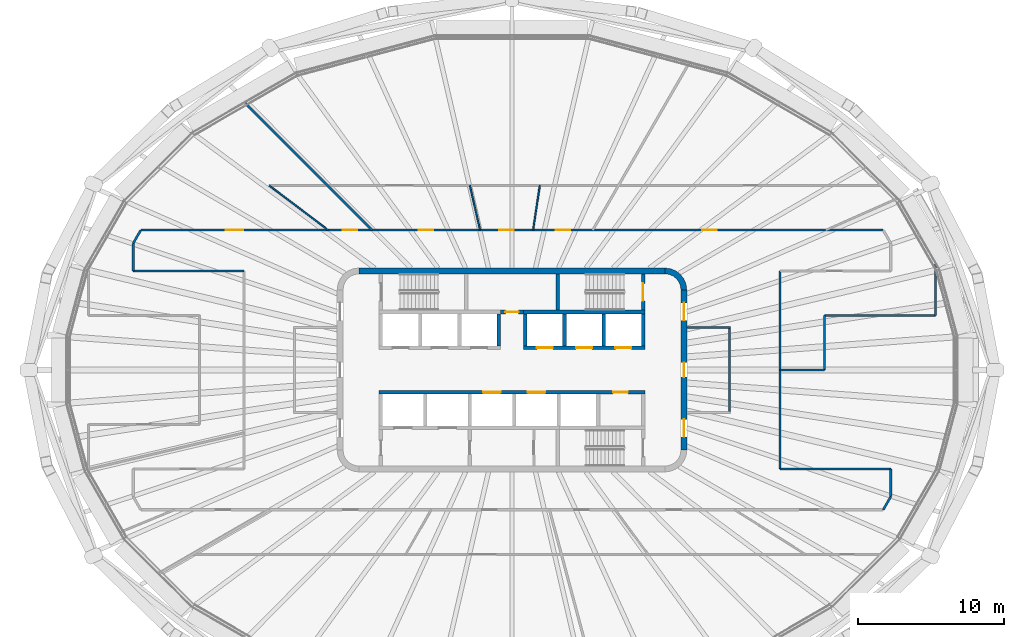
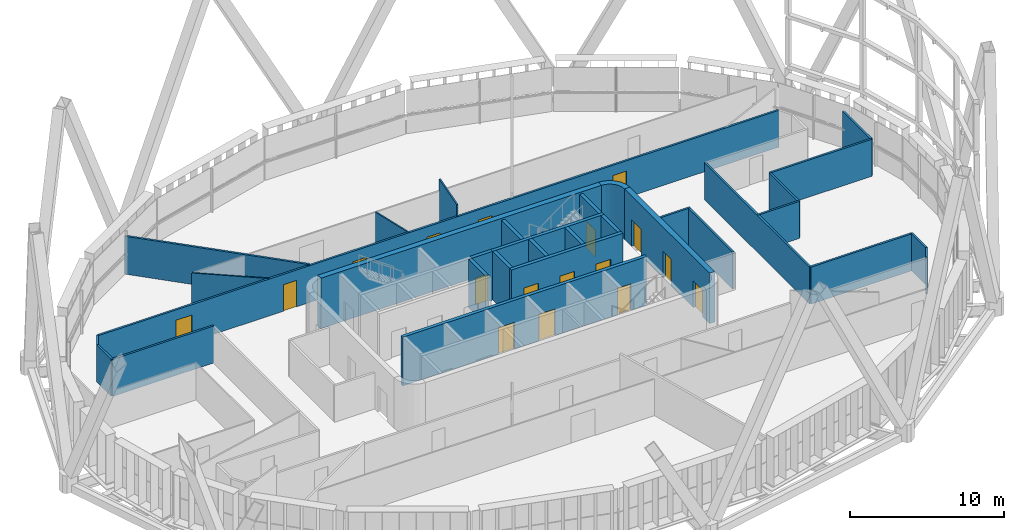
# One storey, part 14 of 23: 32 walls, 17 doors, 17 openings.
"""IFC4 building model written with IfcOpenShell, lengths in metres."""

from ifc_helpers import new_model, si_unit, direction, frame, frame_2d, origin, place, context, subcontext, project, spatial, polyline, rectangle, outline, extrude, material, layer, layer_set, type_object, element, fill, save


model = new_model("IFC4")

# Units and contexts
model_context = context("Model", 3, precision=1e-05, world=origin(), true_north=direction((0.0, 1.0)))
body_context = subcontext(model_context, "Body", "Model", "MODEL_VIEW")
ifc_project = project(units=[si_unit("LENGTHUNIT", "METRE"), si_unit("AREAUNIT", "SQUARE_METRE"), si_unit("VOLUMEUNIT", "CUBIC_METRE"), si_unit("PLANEANGLEUNIT", "RADIAN"), si_unit("MASSUNIT", "GRAM", prefix="KILO")], contexts=[model_context])

# Site, building, storey
site_placement = place(None, origin())
site = spatial("IfcSite", under=ifc_project, at=site_placement, CompositionType="ELEMENT")
building_placement = place(site_placement, origin())
building = spatial("IfcBuilding", under=site, at=building_placement, Name="Sahrelin Media Tower", CompositionType="ELEMENT")
storey_placement = place(building_placement, frame((0.0, 0.0, 217.60009765625)))
storey = spatial("IfcBuildingStorey", under=building, at=storey_placement, Name="L46", CompositionType="ELEMENT", Elevation=217.60009765625)

# Wall
ifc_material_1 = material(Name="Concrete C60/75", Category="concrete")
ifc_layer_1 = layer(ifc_material_1, 0.39990234375)
ifc_layer_set_1 = layer_set([ifc_layer_1], Name="Core wall 400")
wall_type_1 = type_object("IfcWallType", Name="Core wall 400", PredefinedType="SHEAR", material=ifc_layer_set_1)
wall_1_placement = place(storey_placement, frame((-10.5, 6.800048828125, 0.0), z_axis=(0.0, 0.0, 1.0), x_axis=(1.0, 0.0, 0.0)))
element("IfcWall", 1, at=wall_1_placement, inside=storey, type_object=wall_type_1, Name="Core wall N L46", PredefinedType="SHEAR", context=body_context, shape_type="SweptSolid", body=[
    extrude(rectangle(XDim=21.0, YDim=0.39990234375, at=frame_2d((10.5, 0.0))), origin(), (0.0, 0.0, 1.0), 4.0),
])

# Wall, openings, doors
wall_2_placement = place(storey_placement, frame((11.800048828125, -5.5, 0.0), z_axis=(0.0, 0.0, 1.0), x_axis=(0.0, 1.0, 0.0)))
wall_2 = element("IfcWall", 2, at=wall_2_placement, inside=storey, type_object=wall_type_1, Name="Core wall E L46", PredefinedType="SHEAR", context=body_context, shape_type="SweptSolid", body=[
    extrude(rectangle(XDim=11.0, YDim=0.39990234375, at=frame_2d((5.5, 0.0))), origin(), (0.0, 0.0, 1.0), 4.0),
])
opening_1_placement = place(wall_2_placement, frame((5.0, 0.0, 0.0)))
opening_1 = element("IfcOpeningElement", 3, at=opening_1_placement, cuts=wall_2, Name="Opening L46-D10", PredefinedType="OPENING", context=body_context, shape_type="SweptSolid", body=[
    extrude(rectangle(XDim=1.0, YDim=2.10009765625, at=frame_2d((0.5, 1.050048828125))), frame((0.0, 0.199951171875, 0.0), z_axis=(0.0, -1.0, 0.0), x_axis=(1.0, 0.0, 0.0)), (0.0, 0.0, 1.0), 0.39990234375),
])
opening_2_placement = place(wall_2_placement, frame((0.89990234375, 0.0, 0.0)))
opening_2 = element("IfcOpeningElement", 4, at=opening_2_placement, cuts=wall_2, Name="Opening L46-D13", PredefinedType="OPENING", context=body_context, shape_type="SweptSolid", body=[
    extrude(rectangle(XDim=1.199951171875, YDim=2.10009765625, at=frame_2d((0.60009765625, 1.050048828125))), frame((0.0, 0.199951171875, 0.0), z_axis=(0.0, -1.0, 0.0), x_axis=(1.0, 0.0, 0.0)), (0.0, 0.0, 1.0), 0.39990234375),
])
opening_3_placement = place(wall_2_placement, frame((8.89990234375, 0.0, 0.0)))
opening_3 = element("IfcOpeningElement", 5, at=opening_3_placement, cuts=wall_2, Name="Opening L46-D14", PredefinedType="OPENING", context=body_context, shape_type="SweptSolid", body=[
    extrude(rectangle(XDim=1.199951171875, YDim=2.10009765625, at=frame_2d((0.60009765625, 1.050048828125))), frame((0.0, 0.199951171875, 0.0), z_axis=(0.0, -1.0, 0.0), x_axis=(1.0, 0.0, 0.0)), (0.0, 0.0, 1.0), 0.39990234375),
])
ifc_material_2 = material(Name="Steel fire door leaf", Category="steel")
door_type_1 = type_object("IfcDoorType", Name="Fire door 1000 x 2100 EI 60", OperationType="NOTDEFINED", PredefinedType="DOOR", material=ifc_material_2)
door_1_placement = place(opening_1_placement, origin())
door_1 = element("IfcDoor", 6, at=door_1_placement, inside=storey, type_object=door_type_1, Name="Core room door", OperationType="SINGLE_SWING_RIGHT", OverallHeight=2.10009765625, OverallWidth=1.0, PredefinedType="DOOR", context=body_context, shape_type="SweptSolid", body=[
    extrude(rectangle(XDim=1.0, YDim=2.10009765625, at=frame_2d((0.5, 1.050048828125))), frame((0.0, 0.02490234375, 0.0), z_axis=(0.0, -1.0, 0.0), x_axis=(1.0, 0.0, 0.0)), (0.0, 0.0, 1.0), 0.050048828125),
])
fill(opening_1, door_1)
door_type_2 = type_object("IfcDoorType", Name="Lobby door 1200 x 2100 EI 60", OperationType="NOTDEFINED", PredefinedType="DOOR", material=ifc_material_2)
door_2_placement = place(opening_2_placement, origin())
door_2 = element("IfcDoor", 7, at=door_2_placement, inside=storey, type_object=door_type_2, Name="Lobby door", OperationType="SINGLE_SWING_LEFT", OverallHeight=2.10009765625, OverallWidth=1.199951171875, PredefinedType="DOOR", context=body_context, shape_type="SweptSolid", body=[
    extrude(rectangle(XDim=1.199951171875, YDim=2.10009765625, at=frame_2d((0.60009765625, 1.050048828125))), frame((0.0, 0.02490234375, 0.0), z_axis=(0.0, -1.0, 0.0), x_axis=(1.0, 0.0, 0.0)), (0.0, 0.0, 1.0), 0.050048828125),
])
fill(opening_2, door_2)
door_3_placement = place(opening_3_placement, origin())
door_3 = element("IfcDoor", 8, at=door_3_placement, inside=storey, type_object=door_type_2, Name="Lobby door", OperationType="SINGLE_SWING_LEFT", OverallHeight=2.10009765625, OverallWidth=1.199951171875, PredefinedType="DOOR", context=body_context, shape_type="SweptSolid", body=[
    extrude(rectangle(XDim=1.199951171875, YDim=2.10009765625, at=frame_2d((0.60009765625, 1.050048828125))), frame((0.0, 0.02490234375, 0.0), z_axis=(0.0, -1.0, 0.0), x_axis=(1.0, 0.0, 0.0)), (0.0, 0.0, 1.0), 0.050048828125),
])
fill(opening_3, door_3)

# Wall
wall_3_placement = place(storey_placement, origin())
element("IfcWall", 9, at=wall_3_placement, inside=storey, type_object=wall_type_1, Name="Core wall corner NE L46", PredefinedType="SHEAR", context=body_context, shape_type="SweptSolid", body=[
    extrude(outline(polyline([(10.5, 7.0), (10.5, 6.596435546875), (10.78369140625, 6.55908203125), (11.04833984375, 6.44970703125), (11.275390625, 6.275390625), (11.44970703125, 6.04833984375), (11.55908203125, 5.78369140625), (11.596435546875, 5.5), (12.0, 5.5), (11.948974609375, 5.88818359375), (11.799072265625, 6.25), (11.560791015625, 6.560791015625), (11.25, 6.799072265625), (10.88818359375, 6.948974609375), (10.5, 7.0)])), origin(), (0.0, 0.0, 1.0), 4.0),
])

# Wall, opening, door
ifc_material_3 = material(Name="Fire-rated gypsum board partition")
ifc_layer_2 = layer(ifc_material_3, 0.25)
ifc_layer_set_2 = layer_set([ifc_layer_2], Name="Fire-rated lobby wall 250")
wall_type_2 = type_object("IfcWallType", Name="Fire-rated lobby wall 250", PredefinedType="PARTITIONING", material=ifc_layer_set_2)
wall_4_placement = place(storey_placement, frame((-0.77490234375, 3.97509765625, 0.0), z_axis=(0.0, 0.0, 1.0), x_axis=(1.0, 0.0, 0.0)))
wall_4 = element("IfcWall", 10, at=wall_4_placement, inside=storey, type_object=wall_type_2, Name="Core lobby wall", PredefinedType="PARTITIONING", context=body_context, shape_type="SweptSolid", body=[
    extrude(rectangle(XDim=1.5498046875, YDim=0.25, at=frame_2d((0.77490234375, 0.0))), origin(), (0.0, 0.0, 1.0), 3.849853515625),
])
opening_4_placement = place(wall_4_placement, frame((0.324951171875, 0.0, 0.0)))
opening_4 = element("IfcOpeningElement", 11, at=opening_4_placement, cuts=wall_4, Name="Opening L46-D06", PredefinedType="OPENING", context=body_context, shape_type="SweptSolid", body=[
    extrude(rectangle(XDim=0.89990234375, YDim=2.10009765625, at=frame_2d((0.449951171875, 1.050048828125))), frame((0.0, 0.125, 0.0), z_axis=(0.0, -1.0, 0.0), x_axis=(1.0, 0.0, 0.0)), (0.0, 0.0, 1.0), 0.25),
])
door_type_3 = type_object("IfcDoorType", Name="Riser door 900 x 2100 EI 120", OperationType="NOTDEFINED", PredefinedType="DOOR", material=ifc_material_2)
door_4_placement = place(opening_4_placement, origin())
door_4 = element("IfcDoor", 12, at=door_4_placement, inside=storey, type_object=door_type_3, Name="Core room door", OperationType="SINGLE_SWING_LEFT", OverallHeight=2.10009765625, OverallWidth=0.89990234375, PredefinedType="DOOR", context=body_context, shape_type="SweptSolid", body=[
    extrude(rectangle(XDim=0.89990234375, YDim=2.10009765625, at=frame_2d((0.449951171875, 1.050048828125))), frame((0.0, 0.02490234375, 0.0), z_axis=(0.0, -1.0, 0.0), x_axis=(1.0, 0.0, 0.0)), (0.0, 0.0, 1.0), 0.050048828125),
])
fill(opening_4, door_4)

# Walls
ifc_layer_3 = layer(ifc_material_3, 0.14990234375)
ifc_layer_set_3 = layer_set([ifc_layer_3], Name="Fire-rated partition 150")
wall_type_3 = type_object("IfcWallType", Name="Fire-rated partition 150", PredefinedType="PARTITIONING", material=ifc_layer_set_3)
wall_5_placement = place(storey_placement, frame((14.925048828125, -2.85009765625, 0.0), z_axis=(0.0, 0.0, 1.0), x_axis=(0.0, 1.0, 0.0)))
element("IfcWall", 13, at=wall_5_placement, inside=storey, type_object=wall_type_3, Name="Core room fire partition", PredefinedType="PARTITIONING", context=body_context, shape_type="SweptSolid", body=[
    extrude(rectangle(XDim=5.7001953125, YDim=0.14990234375, at=frame_2d((2.85009765625, 0.0))), origin(), (0.0, 0.0, 1.0), 2.918212890625),
])
wall_6_placement = place(storey_placement, frame((12.0, 2.925048828125, 0.0), z_axis=(0.0, 0.0, 1.0), x_axis=(1.0, 0.0, 0.0)))
element("IfcWall", 14, at=wall_6_placement, inside=storey, type_object=wall_type_3, Name="Core room fire partition", PredefinedType="PARTITIONING", context=body_context, shape_type="SweptSolid", body=[
    extrude(rectangle(XDim=3.0, YDim=0.14990234375, at=frame_2d((1.5, 0.0))), origin(), (0.0, 0.0, 1.0), 2.918212890625),
])
wall_7_placement = place(storey_placement, frame((-18.35888671875, 18.35888671875, 0.0), z_axis=(0.0, 0.0, 1.0), x_axis=(0.707106781187, -0.707106781187, 0.0)))
element("IfcWall", 15, at=wall_7_placement, inside=storey, type_object=wall_type_3, Name="Wall", PredefinedType="PARTITIONING", context=body_context, shape_type="SweptSolid", body=[
    extrude(rectangle(XDim=12.38671875, YDim=0.14990234375, at=frame_2d((6.193359375, 0.0))), origin(), (0.0, 0.0, 1.0), 2.994873046875),
])
wall_8_placement = place(storey_placement, frame((18.39990234375, -6.800048828125, 0.0), z_axis=(0.0, 0.0, 1.0), x_axis=(1.0, 0.0, 0.0)))
element("IfcWall", 16, at=wall_8_placement, inside=storey, type_object=wall_type_3, Name="Wall", PredefinedType="PARTITIONING", context=body_context, shape_type="SweptSolid", body=[
    extrude(rectangle(XDim=7.60009765625, YDim=0.14990234375, at=frame_2d((3.800048828125, 0.0))), origin(), (0.0, 0.0, 1.0), 2.927001953125),
])
wall_9_placement = place(storey_placement, frame((18.39990234375, 0.0, 0.0), z_axis=(0.0, 0.0, 1.0), x_axis=(1.0, 0.0, 0.0)))
element("IfcWall", 17, at=wall_9_placement, inside=storey, type_object=wall_type_3, Name="Wall", PredefinedType="PARTITIONING", context=body_context, shape_type="SweptSolid", body=[
    extrude(rectangle(XDim=3.06005859375, YDim=0.14990234375, at=frame_2d((1.530029296875, 0.0))), origin(), (0.0, 0.0, 1.0), 2.927001953125),
])
for number, where, z_axis, x_axis, name in (
    (18, (21.4599609375, 3.739990234375, 0.0), (0.0, 0.0, 1.0), (1.0, 0.0, 0.0), "Wall"),
    (19, (-26.0, 6.800048828125, 0.0), (0.0, 0.0, 1.0), (1.0, 0.0, 0.0), "Wall"),
):
    element("IfcWall", number, at=place(storey_placement, frame(where, z_axis=z_axis, x_axis=x_axis)), inside=storey, type_object=wall_type_3, Name=name, PredefinedType="PARTITIONING", context=body_context, shape_type="SweptSolid", body=[
        extrude(rectangle(XDim=7.60009765625, YDim=0.14990234375, at=frame_2d((3.800048828125, 0.0))), origin(), (0.0, 0.0, 1.0), 2.927001953125),
    ])

# Wall, openings, doors
wall_10_placement = place(storey_placement, frame((-25.47900390625, 9.60009765625, 0.0), z_axis=(0.0, 0.0, 1.0), x_axis=(1.0, 0.0, 0.0)))
wall_10 = element("IfcWall", 20, at=wall_10_placement, inside=storey, type_object=wall_type_3, Name="Wall", PredefinedType="PARTITIONING", context=body_context, shape_type="SweptSolid", body=[
    extrude(rectangle(XDim=50.9580078125, YDim=0.14990234375, at=frame_2d((25.47900390625, 0.0))), origin(), (0.0, 0.0, 1.0), 2.918212890625),
])
opening_5_placement = place(wall_10_placement, frame((28.47412109375, 0.0, 0.0)))
opening_5 = element("IfcOpeningElement", 21, at=opening_5_placement, cuts=wall_10, Name="Opening L46-D15", PredefinedType="OPENING", context=body_context, shape_type="SweptSolid", body=[
    extrude(rectangle(XDim=1.0, YDim=2.10009765625, at=frame_2d((0.5, 1.050048828125))), frame((0.0, 0.074951171875, 0.0), z_axis=(0.0, -1.0, 0.0), x_axis=(1.0, 0.0, 0.0)), (0.0, 0.0, 1.0), 0.14990234375),
])
opening_6_placement = place(wall_10_placement, frame((24.60693359375, 0.0, 0.0)))
opening_6 = element("IfcOpeningElement", 22, at=opening_6_placement, cuts=wall_10, Name="Opening L46-D16", PredefinedType="OPENING", context=body_context, shape_type="SweptSolid", body=[
    extrude(rectangle(XDim=1.0, YDim=2.10009765625, at=frame_2d((0.5, 1.050048828125))), frame((0.0, 0.074951171875, 0.0), z_axis=(0.0, -1.0, 0.0), x_axis=(1.0, 0.0, 0.0)), (0.0, 0.0, 1.0), 0.14990234375),
])
opening_7_placement = place(wall_10_placement, frame((19.08349609375, 0.0, 0.0)))
opening_7 = element("IfcOpeningElement", 23, at=opening_7_placement, cuts=wall_10, Name="Opening L46-D17", PredefinedType="OPENING", context=body_context, shape_type="SweptSolid", body=[
    extrude(rectangle(XDim=1.0, YDim=2.10009765625, at=frame_2d((0.5, 1.050048828125))), frame((0.0, 0.074951171875, 0.0), z_axis=(0.0, -1.0, 0.0), x_axis=(1.0, 0.0, 0.0)), (0.0, 0.0, 1.0), 0.14990234375),
])
opening_8_placement = place(wall_10_placement, frame((13.865478515625, 0.0, 0.0)))
opening_8 = element("IfcOpeningElement", 24, at=opening_8_placement, cuts=wall_10, Name="Opening L46-D19", PredefinedType="OPENING", context=body_context, shape_type="SweptSolid", body=[
    extrude(rectangle(XDim=1.0, YDim=2.10009765625, at=frame_2d((0.5, 1.050048828125))), frame((0.0, 0.074951171875, 0.0), z_axis=(0.0, -1.0, 0.0), x_axis=(1.0, 0.0, 0.0)), (0.0, 0.0, 1.0), 0.14990234375),
])
opening_9_placement = place(wall_10_placement, frame((5.825927734375, 0.0, 0.0)))
opening_9 = element("IfcOpeningElement", 25, at=opening_9_placement, cuts=wall_10, Name="Opening L46-D20", PredefinedType="OPENING", context=body_context, shape_type="SweptSolid", body=[
    extrude(rectangle(XDim=1.199951171875, YDim=2.10009765625, at=frame_2d((0.60009765625, 1.050048828125))), frame((0.0, 0.074951171875, 0.0), z_axis=(0.0, -1.0, 0.0), x_axis=(1.0, 0.0, 0.0)), (0.0, 0.0, 1.0), 0.14990234375),
])
opening_10_placement = place(wall_10_placement, frame((38.531982421875, 0.0, 0.0)))
opening_10 = element("IfcOpeningElement", 26, at=opening_10_placement, cuts=wall_10, Name="Opening L46-D32", PredefinedType="OPENING", context=body_context, shape_type="SweptSolid", body=[
    extrude(rectangle(XDim=1.0, YDim=2.10009765625, at=frame_2d((0.5, 1.050048828125))), frame((0.0, 0.074951171875, 0.0), z_axis=(0.0, -1.0, 0.0), x_axis=(1.0, 0.0, 0.0)), (0.0, 0.0, 1.0), 0.14990234375),
])
door_5_placement = place(opening_5_placement, origin())
door_5 = element("IfcDoor", 27, at=door_5_placement, inside=storey, type_object=door_type_1, Name="Fire door", OperationType="SINGLE_SWING_RIGHT", OverallHeight=2.10009765625, OverallWidth=1.0, PredefinedType="DOOR", context=body_context, shape_type="SweptSolid", body=[
    extrude(rectangle(XDim=1.0, YDim=2.10009765625, at=frame_2d((0.5, 1.050048828125))), frame((0.0, 0.02490234375, 0.0), z_axis=(0.0, -1.0, 0.0), x_axis=(1.0, 0.0, 0.0)), (0.0, 0.0, 1.0), 0.050048828125),
])
fill(opening_5, door_5)
door_6_placement = place(opening_6_placement, origin())
door_6 = element("IfcDoor", 28, at=door_6_placement, inside=storey, type_object=door_type_1, Name="Fire door", OperationType="SINGLE_SWING_RIGHT", OverallHeight=2.10009765625, OverallWidth=1.0, PredefinedType="DOOR", context=body_context, shape_type="SweptSolid", body=[
    extrude(rectangle(XDim=1.0, YDim=2.10009765625, at=frame_2d((0.5, 1.050048828125))), frame((0.0, 0.02490234375, 0.0), z_axis=(0.0, -1.0, 0.0), x_axis=(1.0, 0.0, 0.0)), (0.0, 0.0, 1.0), 0.050048828125),
])
fill(opening_6, door_6)
door_7_placement = place(opening_7_placement, origin())
door_7 = element("IfcDoor", 29, at=door_7_placement, inside=storey, type_object=door_type_1, Name="Fire door", OperationType="SINGLE_SWING_LEFT", OverallHeight=2.10009765625, OverallWidth=1.0, PredefinedType="DOOR", context=body_context, shape_type="SweptSolid", body=[
    extrude(rectangle(XDim=1.0, YDim=2.10009765625, at=frame_2d((0.5, 1.050048828125))), frame((0.0, 0.02490234375, 0.0), z_axis=(0.0, -1.0, 0.0), x_axis=(1.0, 0.0, 0.0)), (0.0, 0.0, 1.0), 0.050048828125),
])
fill(opening_7, door_7)
door_8_placement = place(opening_8_placement, origin())
door_8 = element("IfcDoor", 30, at=door_8_placement, inside=storey, type_object=door_type_1, Name="Fire door", OperationType="SINGLE_SWING_LEFT", OverallHeight=2.10009765625, OverallWidth=1.0, PredefinedType="DOOR", context=body_context, shape_type="SweptSolid", body=[
    extrude(rectangle(XDim=1.0, YDim=2.10009765625, at=frame_2d((0.5, 1.050048828125))), frame((0.0, 0.02490234375, 0.0), z_axis=(0.0, -1.0, 0.0), x_axis=(1.0, 0.0, 0.0)), (0.0, 0.0, 1.0), 0.050048828125),
])
fill(opening_8, door_8)
door_9_placement = place(opening_10_placement, origin())
door_9 = element("IfcDoor", 31, at=door_9_placement, inside=storey, type_object=door_type_1, Name="Fire door", OperationType="SINGLE_SWING_LEFT", OverallHeight=2.10009765625, OverallWidth=1.0, PredefinedType="DOOR", context=body_context, shape_type="SweptSolid", body=[
    extrude(rectangle(XDim=1.0, YDim=2.10009765625, at=frame_2d((0.5, 1.050048828125))), frame((0.0, 0.02490234375, 0.0), z_axis=(0.0, -1.0, 0.0), x_axis=(1.0, 0.0, 0.0)), (0.0, 0.0, 1.0), 0.050048828125),
])
fill(opening_10, door_9)
door_type_4 = type_object("IfcDoorType", Name="Service double door 1200 x 2100 EI 60", OperationType="DOUBLE_DOOR_SINGLE_SWING", PredefinedType="DOOR", material=ifc_material_2)
door_10_placement = place(opening_9_placement, origin())
door_10 = element("IfcDoor", 32, at=door_10_placement, inside=storey, type_object=door_type_4, Name="Service double door", OperationType="DOUBLE_DOOR_SINGLE_SWING", OverallHeight=2.10009765625, OverallWidth=1.199951171875, PredefinedType="DOOR", context=body_context, shape_type="SweptSolid", body=[
    extrude(rectangle(XDim=1.199951171875, YDim=2.10009765625, at=frame_2d((0.60009765625, 1.050048828125))), frame((0.0, 0.02490234375, 0.0), z_axis=(0.0, -1.0, 0.0), x_axis=(1.0, 0.0, 0.0)), (0.0, 0.0, 1.0), 0.050048828125),
])
fill(opening_9, door_10)

# Walls
for number, where, z_axis, x_axis, name in (
    (33, (25.47900390625, -9.60009765625, 0.0), (0.0, 0.0, 1.0), (0.499715696113, 0.8661894845, 0.0), "Wall"),
    (34, (-26.0, 8.697021484375, 0.0), (0.0, 0.0, 1.0), (0.499817072756, 0.866130991122, 0.0), "Wall"),
):
    element("IfcWall", number, at=place(storey_placement, frame(where, z_axis=z_axis, x_axis=x_axis)), inside=storey, type_object=wall_type_3, Name=name, PredefinedType="PARTITIONING", context=body_context, shape_type="SweptSolid", body=[
        extrude(rectangle(XDim=1.04248046875, YDim=0.14990234375, at=frame_2d((0.521240234375, 0.0))), origin(), (0.0, 0.0, 1.0), 2.927001953125),
    ])
wall_11_placement = place(storey_placement, frame((29.06005859375, 3.739990234375, 0.0), z_axis=(0.0, 0.0, 1.0), x_axis=(0.0, 1.0, 0.0)))
element("IfcWall", 35, at=wall_11_placement, inside=storey, type_object=wall_type_3, Name="Wall", PredefinedType="PARTITIONING", context=body_context, shape_type="SweptSolid", body=[
    extrude(rectangle(XDim=3.656005859375, YDim=0.14990234375, at=frame_2d((1.828125, 0.0))), origin(), (0.0, 0.0, 1.0), 2.918212890625),
])
wall_12_placement = place(storey_placement, frame((26.0, -8.697021484375, 0.0), z_axis=(0.0, 0.0, 1.0), x_axis=(0.0, 1.0, 0.0)))
element("IfcWall", 36, at=wall_12_placement, inside=storey, type_object=wall_type_3, Name="Wall", PredefinedType="PARTITIONING", context=body_context, shape_type="SweptSolid", body=[
    extrude(rectangle(XDim=1.89697265625, YDim=0.14990234375, at=frame_2d((0.948486328125, 0.0))), origin(), (0.0, 0.0, 1.0), 2.927001953125),
])
wall_13_placement = place(storey_placement, frame((21.4599609375, 0.0, 0.0), z_axis=(0.0, 0.0, 1.0), x_axis=(0.0, 1.0, 0.0)))
element("IfcWall", 37, at=wall_13_placement, inside=storey, type_object=wall_type_3, Name="Wall", PredefinedType="PARTITIONING", context=body_context, shape_type="SweptSolid", body=[
    extrude(rectangle(XDim=3.739990234375, YDim=0.14990234375, at=frame_2d((1.8701171875, 0.0))), origin(), (0.0, 0.0, 1.0), 2.918212890625),
])
wall_14_placement = place(storey_placement, frame((18.39990234375, -6.800048828125, 0.0), z_axis=(0.0, 0.0, 1.0), x_axis=(0.0, 1.0, 0.0)))
element("IfcWall", 38, at=wall_14_placement, inside=storey, type_object=wall_type_3, Name="Wall", PredefinedType="PARTITIONING", context=body_context, shape_type="SweptSolid", body=[
    extrude(rectangle(XDim=13.60009765625, YDim=0.14990234375, at=frame_2d((6.800048828125, 0.0))), origin(), (0.0, 0.0, 1.0), 2.918212890625),
])
wall_15_placement = place(storey_placement, frame((-26.0, 6.800048828125, 0.0), z_axis=(0.0, 0.0, 1.0), x_axis=(0.0, 1.0, 0.0)))
element("IfcWall", 39, at=wall_15_placement, inside=storey, type_object=wall_type_3, Name="Wall", PredefinedType="PARTITIONING", context=body_context, shape_type="SweptSolid", body=[
    extrude(rectangle(XDim=1.89697265625, YDim=0.14990234375, at=frame_2d((0.948486328125, 0.0))), origin(), (0.0, 0.0, 1.0), 2.927001953125),
])

# Wall, openings, doors
ifc_layer_4 = layer(ifc_material_1, 0.25)
ifc_layer_set_4 = layer_set([ifc_layer_4], Name="Lift shaft wall 250")
wall_type_4 = type_object("IfcWallType", Name="Lift shaft wall 250", PredefinedType="SOLIDWALL", material=ifc_layer_set_4)
wall_16_placement = place(storey_placement, frame((0.77490234375, 1.52490234375, 0.0), z_axis=(0.0, 0.0, 1.0), x_axis=(1.0, 0.0, 0.0)))
wall_16 = element("IfcWall", 40, at=wall_16_placement, inside=storey, type_object=wall_type_4, Name="Lift shaft wall", PredefinedType="SOLIDWALL", context=body_context, shape_type="SweptSolid", body=[
    extrude(rectangle(XDim=8.35009765625, YDim=0.25, at=frame_2d((4.175048828125, 0.0))), origin(), (0.0, 0.0, 1.0), 3.849853515625),
])
opening_11_placement = place(wall_16_placement, frame((0.925048828125, 0.0, 0.0)))
opening_11 = element("IfcOpeningElement", 41, at=opening_11_placement, cuts=wall_16, Name="Opening L46-LD-HR4", PredefinedType="OPENING", context=body_context, shape_type="SweptSolid", body=[
    extrude(rectangle(XDim=1.10009765625, YDim=2.10009765625, at=frame_2d((0.550048828125, 1.050048828125))), frame((0.0, 0.125, 0.0), z_axis=(0.0, -1.0, 0.0), x_axis=(1.0, 0.0, 0.0)), (0.0, 0.0, 1.0), 0.25),
])
opening_12_placement = place(wall_16_placement, frame((3.625, 0.0, 0.0)))
opening_12 = element("IfcOpeningElement", 42, at=opening_12_placement, cuts=wall_16, Name="Opening L46-LD-HR5", PredefinedType="OPENING", context=body_context, shape_type="SweptSolid", body=[
    extrude(rectangle(XDim=1.10009765625, YDim=2.10009765625, at=frame_2d((0.550048828125, 1.050048828125))), frame((0.0, 0.125, 0.0), z_axis=(0.0, -1.0, 0.0), x_axis=(1.0, 0.0, 0.0)), (0.0, 0.0, 1.0), 0.25),
])
opening_13_placement = place(wall_16_placement, frame((6.324951171875, 0.0, 0.0)))
opening_13 = element("IfcOpeningElement", 43, at=opening_13_placement, cuts=wall_16, Name="Opening L46-LD-HR6", PredefinedType="OPENING", context=body_context, shape_type="SweptSolid", body=[
    extrude(rectangle(XDim=1.10009765625, YDim=2.10009765625, at=frame_2d((0.550048828125, 1.050048828125))), frame((0.0, 0.125, 0.0), z_axis=(0.0, -1.0, 0.0), x_axis=(1.0, 0.0, 0.0)), (0.0, 0.0, 1.0), 0.25),
])
ifc_material_4 = material(Name="Stainless steel", Category="steel")
door_type_5 = type_object("IfcDoorType", Name="Lift landing door 1100 x 2100 EI 120", OperationType="DOUBLE_DOOR_SLIDING", PredefinedType="DOOR", material=ifc_material_4)
door_11_placement = place(opening_11_placement, origin())
door_11 = element("IfcDoor", 44, at=door_11_placement, inside=storey, type_object=door_type_5, Name="Lift landing door HR4", OperationType="DOUBLE_DOOR_SLIDING", OverallHeight=2.10009765625, OverallWidth=1.10009765625, PredefinedType="DOOR", context=body_context, shape_type="SweptSolid", body=[
    extrude(rectangle(XDim=1.10009765625, YDim=2.10009765625, at=frame_2d((0.550048828125, 1.050048828125))), frame((0.0, 0.02490234375, 0.0), z_axis=(0.0, -1.0, 0.0), x_axis=(1.0, 0.0, 0.0)), (0.0, 0.0, 1.0), 0.050048828125),
])
fill(opening_11, door_11)
door_12_placement = place(opening_12_placement, origin())
door_12 = element("IfcDoor", 45, at=door_12_placement, inside=storey, type_object=door_type_5, Name="Lift landing door HR5", OperationType="DOUBLE_DOOR_SLIDING", OverallHeight=2.10009765625, OverallWidth=1.10009765625, PredefinedType="DOOR", context=body_context, shape_type="SweptSolid", body=[
    extrude(rectangle(XDim=1.10009765625, YDim=2.10009765625, at=frame_2d((0.550048828125, 1.050048828125))), frame((0.0, 0.02490234375, 0.0), z_axis=(0.0, -1.0, 0.0), x_axis=(1.0, 0.0, 0.0)), (0.0, 0.0, 1.0), 0.050048828125),
])
fill(opening_12, door_12)
door_13_placement = place(opening_13_placement, origin())
door_13 = element("IfcDoor", 46, at=door_13_placement, inside=storey, type_object=door_type_5, Name="Lift landing door HR6", OperationType="DOUBLE_DOOR_SLIDING", OverallHeight=2.10009765625, OverallWidth=1.10009765625, PredefinedType="DOOR", context=body_context, shape_type="SweptSolid", body=[
    extrude(rectangle(XDim=1.10009765625, YDim=2.10009765625, at=frame_2d((0.550048828125, 1.050048828125))), frame((0.0, 0.02490234375, 0.0), z_axis=(0.0, -1.0, 0.0), x_axis=(1.0, 0.0, 0.0)), (0.0, 0.0, 1.0), 0.050048828125),
])
fill(opening_13, door_13)

# Walls
wall_17_placement = place(storey_placement, frame((0.77490234375, 3.97509765625, 0.0), z_axis=(0.0, 0.0, 1.0), x_axis=(1.0, 0.0, 0.0)))
element("IfcWall", 47, at=wall_17_placement, inside=storey, type_object=wall_type_4, Name="Lift shaft wall", PredefinedType="SOLIDWALL", context=body_context, shape_type="SweptSolid", body=[
    extrude(rectangle(XDim=8.35009765625, YDim=0.25, at=frame_2d((4.175048828125, 0.0))), origin(), (0.0, 0.0, 1.0), 3.849853515625),
])
for number, where, z_axis, x_axis, name in (
    (48, (9.0, 1.64990234375, 0.0), (0.0, 0.0, 1.0), (0.0, 1.0, 0.0), "Lift shaft wall"),
    (49, (6.300048828125, 1.64990234375, 0.0), (0.0, 0.0, 1.0), (0.0, 1.0, 0.0), "Lift shaft wall"),
    (50, (3.60009765625, 1.64990234375, 0.0), (0.0, 0.0, 1.0), (0.0, 1.0, 0.0), "Lift shaft wall"),
    (51, (-0.89990234375, 1.64990234375, 0.0), (0.0, 0.0, 1.0), (0.0, 1.0, 0.0), "Lift shaft wall"),
    (52, (0.89990234375, 1.64990234375, 0.0), (0.0, 0.0, 1.0), (0.0, 1.0, 0.0), "Lift shaft wall"),
):
    element("IfcWall", number, at=place(storey_placement, frame(where, z_axis=z_axis, x_axis=x_axis)), inside=storey, type_object=wall_type_4, Name=name, PredefinedType="SOLIDWALL", context=body_context, shape_type="SweptSolid", body=[
        extrude(rectangle(XDim=2.2001953125, YDim=0.25, at=frame_2d((1.10009765625, 0.0))), origin(), (0.0, 0.0, 1.0), 3.849853515625),
    ])

# Wall, openings, doors
wall_18_placement = place(storey_placement, frame((-9.125, -1.52490234375, 0.0), z_axis=(0.0, 0.0, 1.0), x_axis=(1.0, 0.0, 0.0)))
wall_18 = element("IfcWall", 53, at=wall_18_placement, inside=storey, type_object=wall_type_4, Name="Lift shaft wall", PredefinedType="SOLIDWALL", context=body_context, shape_type="SweptSolid", body=[
    extrude(rectangle(XDim=18.25, YDim=0.25, at=frame_2d((9.125, 0.0))), origin(), (0.0, 0.0, 1.0), 3.849853515625),
])
opening_14_placement = place(wall_18_placement, frame((7.14990234375, 0.0, 0.0)))
opening_14 = element("IfcOpeningElement", 54, at=opening_14_placement, cuts=wall_18, Name="Opening L46-LD-SV1", PredefinedType="OPENING", context=body_context, shape_type="SweptSolid", body=[
    extrude(rectangle(XDim=1.199951171875, YDim=2.10009765625, at=frame_2d((0.60009765625, 1.050048828125))), frame((0.0, 0.125, 0.0), z_axis=(0.0, -1.0, 0.0), x_axis=(1.0, 0.0, 0.0)), (0.0, 0.0, 1.0), 0.25),
])
opening_15_placement = place(wall_18_placement, frame((10.199951171875, 0.0, 0.0)))
opening_15 = element("IfcOpeningElement", 55, at=opening_15_placement, cuts=wall_18, Name="Opening L46-LD-SV2", PredefinedType="OPENING", context=body_context, shape_type="SweptSolid", body=[
    extrude(rectangle(XDim=1.199951171875, YDim=2.10009765625, at=frame_2d((0.60009765625, 1.050048828125))), frame((0.0, 0.125, 0.0), z_axis=(0.0, -1.0, 0.0), x_axis=(1.0, 0.0, 0.0)), (0.0, 0.0, 1.0), 0.25),
])
opening_16_placement = place(wall_18_placement, frame((16.074951171875, 0.0, 0.0)))
opening_16 = element("IfcOpeningElement", 56, at=opening_16_placement, cuts=wall_18, Name="Opening L46-D08", PredefinedType="OPENING", context=body_context, shape_type="SweptSolid", body=[
    extrude(rectangle(XDim=1.0, YDim=2.10009765625, at=frame_2d((0.5, 1.050048828125))), frame((0.0, 0.125, 0.0), z_axis=(0.0, -1.0, 0.0), x_axis=(1.0, 0.0, 0.0)), (0.0, 0.0, 1.0), 0.25),
])
door_14_placement = place(opening_16_placement, origin())
door_14 = element("IfcDoor", 57, at=door_14_placement, inside=storey, type_object=door_type_1, Name="Core room door", OperationType="SINGLE_SWING_RIGHT", OverallHeight=2.10009765625, OverallWidth=1.0, PredefinedType="DOOR", context=body_context, shape_type="SweptSolid", body=[
    extrude(rectangle(XDim=1.0, YDim=2.10009765625, at=frame_2d((0.5, 1.050048828125))), frame((0.0, 0.02490234375, 0.0), z_axis=(0.0, -1.0, 0.0), x_axis=(1.0, 0.0, 0.0)), (0.0, 0.0, 1.0), 0.050048828125),
])
fill(opening_16, door_14)
door_type_6 = type_object("IfcDoorType", Name="Lift landing door 1200 x 2100 EI 120", OperationType="DOUBLE_DOOR_SLIDING", PredefinedType="DOOR", material=ifc_material_4)
door_15_placement = place(opening_14_placement, origin())
door_15 = element("IfcDoor", 58, at=door_15_placement, inside=storey, type_object=door_type_6, Name="Lift landing door SV1", OperationType="DOUBLE_DOOR_SLIDING", OverallHeight=2.10009765625, OverallWidth=1.199951171875, PredefinedType="DOOR", context=body_context, shape_type="SweptSolid", body=[
    extrude(rectangle(XDim=1.199951171875, YDim=2.10009765625, at=frame_2d((0.60009765625, 1.050048828125))), frame((0.0, 0.02490234375, 0.0), z_axis=(0.0, -1.0, 0.0), x_axis=(1.0, 0.0, 0.0)), (0.0, 0.0, 1.0), 0.050048828125),
])
fill(opening_14, door_15)
door_16_placement = place(opening_15_placement, origin())
door_16 = element("IfcDoor", 59, at=door_16_placement, inside=storey, type_object=door_type_6, Name="Lift landing door SV2", OperationType="DOUBLE_DOOR_SLIDING", OverallHeight=2.10009765625, OverallWidth=1.199951171875, PredefinedType="DOOR", context=body_context, shape_type="SweptSolid", body=[
    extrude(rectangle(XDim=1.199951171875, YDim=2.10009765625, at=frame_2d((0.60009765625, 1.050048828125))), frame((0.0, 0.02490234375, 0.0), z_axis=(0.0, -1.0, 0.0), x_axis=(1.0, 0.0, 0.0)), (0.0, 0.0, 1.0), 0.050048828125),
])
fill(opening_15, door_16)

# Walls
ifc_material_5 = material(Name="Gypsum board partition")
ifc_layer_5 = layer(ifc_material_5, 0.10009765625)
ifc_layer_set_5 = layer_set([ifc_layer_5], Name="Partition 100")
wall_type_5 = type_object("IfcWallType", Name="Partition 100", PredefinedType="PARTITIONING", material=ifc_layer_set_5)
wall_19_placement = place(storey_placement, frame((-2.888916015625, 12.659912109375, 0.0), z_axis=(0.0, 0.0, 1.0), x_axis=(0.222404443897, -0.974954492956, 0.0)))
element("IfcWall", 60, at=wall_19_placement, inside=storey, type_object=wall_type_5, Name="Wall", PredefinedType="PARTITIONING", context=body_context, shape_type="SweptSolid", body=[
    extrude(rectangle(XDim=3.138427734375, YDim=0.10009765625, at=frame_2d((1.5693359375, 0.0))), origin(), (0.0, 0.0, 1.0), 2.927001953125),
])
wall_20_placement = place(storey_placement, frame((-16.65087890625, 12.659912109375, 0.0), z_axis=(0.0, 0.0, 1.0), x_axis=(0.796006750332, -0.605287744322, 0.0)))
element("IfcWall", 61, at=wall_20_placement, inside=storey, type_object=wall_type_5, Name="Wall", PredefinedType="PARTITIONING", context=body_context, shape_type="SweptSolid", body=[
    extrude(rectangle(XDim=5.05517578125, YDim=0.10009765625, at=frame_2d((2.527587890625, 0.0))), origin(), (0.0, 0.0, 1.0), 2.927001953125),
])
wall_21_placement = place(storey_placement, frame((1.447021484375, 9.60009765625, 0.0), z_axis=(0.0, 0.0, 1.0), x_axis=(0.149270157498, 0.988796450277, 0.0)))
element("IfcWall", 62, at=wall_21_placement, inside=storey, type_object=wall_type_5, Name="Wall", PredefinedType="PARTITIONING", context=body_context, shape_type="SweptSolid", body=[
    extrude(rectangle(XDim=3.094482421875, YDim=0.10009765625, at=frame_2d((1.54736328125, 0.0))), origin(), (0.0, 0.0, 1.0), 3.849853515625),
])

# Wall, opening, door
ifc_layer_6 = layer(ifc_material_1, 0.25)
ifc_layer_set_6 = layer_set([ifc_layer_6], Name="Stair enclosure wall 250")
wall_type_6 = type_object("IfcWallType", Name="Stair enclosure wall 250", PredefinedType="SOLIDWALL", material=ifc_layer_set_6)
wall_22_placement = place(storey_placement, frame((9.0, 4.10009765625, 0.0), z_axis=(0.0, 0.0, 1.0), x_axis=(0.0, 1.0, 0.0)))
wall_22 = element("IfcWall", 63, at=wall_22_placement, inside=storey, type_object=wall_type_6, Name="Stair enclosure wall", PredefinedType="SOLIDWALL", context=body_context, shape_type="SweptSolid", body=[
    extrude(rectangle(XDim=2.5, YDim=0.25, at=frame_2d((1.25, 0.0))), origin(), (0.0, 0.0, 1.0), 3.849853515625),
])
opening_17_placement = place(wall_22_placement, frame((0.64990234375, 0.0, 0.0)))
opening_17 = element("IfcOpeningElement", 64, at=opening_17_placement, cuts=wall_22, Name="Opening L46-D02", PredefinedType="OPENING", context=body_context, shape_type="SweptSolid", body=[
    extrude(rectangle(XDim=1.199951171875, YDim=2.10009765625, at=frame_2d((0.60009765625, 1.050048828125))), frame((0.0, 0.125, 0.0), z_axis=(0.0, -1.0, 0.0), x_axis=(1.0, 0.0, 0.0)), (0.0, 0.0, 1.0), 0.25),
])
door_type_7 = type_object("IfcDoorType", Name="Stair door 1200 x 2100 EI 120", OperationType="NOTDEFINED", PredefinedType="DOOR", material=ifc_material_2)
door_17_placement = place(opening_17_placement, origin())
door_17 = element("IfcDoor", 65, at=door_17_placement, inside=storey, type_object=door_type_7, Name="Stair door ST3", OperationType="SINGLE_SWING_LEFT", OverallHeight=2.10009765625, OverallWidth=1.199951171875, PredefinedType="DOOR", context=body_context, shape_type="SweptSolid", body=[
    extrude(rectangle(XDim=1.199951171875, YDim=2.10009765625, at=frame_2d((0.60009765625, 1.050048828125))), frame((0.0, 0.02490234375, 0.0), z_axis=(0.0, -1.0, 0.0), x_axis=(1.0, 0.0, 0.0)), (0.0, 0.0, 1.0), 0.050048828125),
])
fill(opening_17, door_17)

# Wall
wall_23_placement = place(storey_placement, frame((3.14990234375, 4.10009765625, 0.0), z_axis=(0.0, 0.0, 1.0), x_axis=(0.0, 1.0, 0.0)))
element("IfcWall", 66, at=wall_23_placement, inside=storey, type_object=wall_type_6, Name="Stair enclosure wall", PredefinedType="SOLIDWALL", context=body_context, shape_type="SweptSolid", body=[
    extrude(rectangle(XDim=2.5, YDim=0.25, at=frame_2d((1.25, 0.0))), origin(), (0.0, 0.0, 1.0), 3.849853515625),
])

save(model, "model.ifc")
